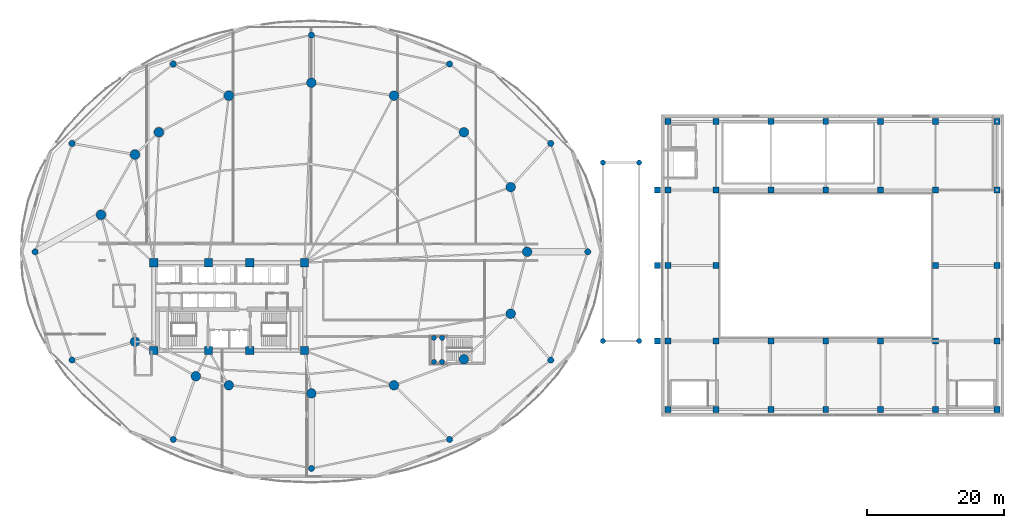
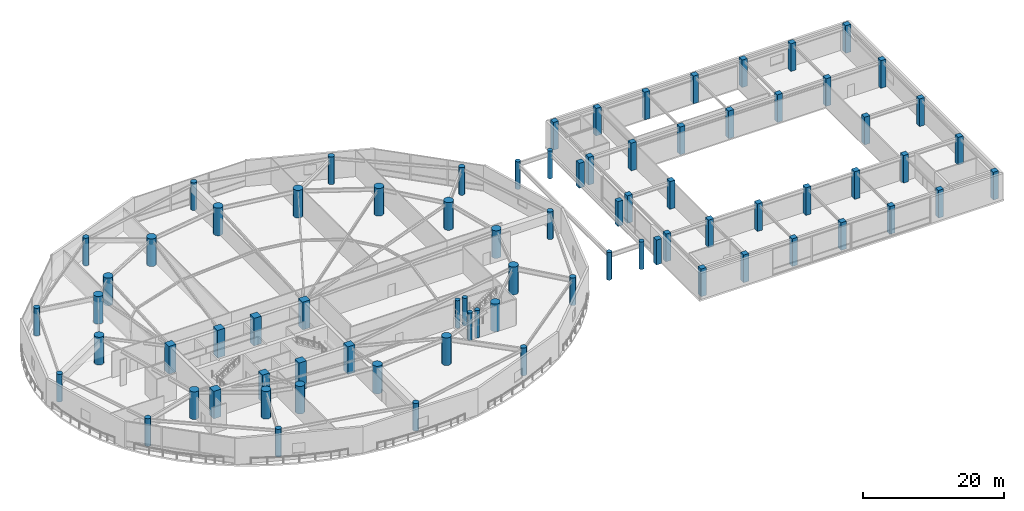
# One storey, part 1 of 36: 79 columns.
"""IFC4 building model written with IfcOpenShell, lengths in metres."""

from ifc_helpers import new_model, si_unit, direction, frame, origin, origin_2d, place, context, subcontext, project, spatial, rectangle, circle, extrude, material, material_profile, profile_set, type_object, element, save


model = new_model("IFC4")

# Units and contexts
model_context = context("Model", 3, precision=1e-05, world=origin(), true_north=direction((0.0, 1.0)))
body_context = subcontext(model_context, "Body", "Model", "MODEL_VIEW")
ifc_project = project(units=[si_unit("LENGTHUNIT", "METRE"), si_unit("AREAUNIT", "SQUARE_METRE"), si_unit("VOLUMEUNIT", "CUBIC_METRE"), si_unit("PLANEANGLEUNIT", "RADIAN"), si_unit("MASSUNIT", "GRAM", prefix="KILO")], contexts=[model_context])

# Site, building, storey
site_placement = place(None, origin())
site = spatial("IfcSite", under=ifc_project, at=site_placement, CompositionType="ELEMENT")
building_placement = place(site_placement, origin())
building = spatial("IfcBuilding", under=site, at=building_placement, Name="Kazevale Care Tower and Concert Hall", CompositionType="ELEMENT")
storey_placement = place(building_placement, frame((0.0, 0.0, 14.39990234375)))
storey = spatial("IfcBuildingStorey", under=building, at=storey_placement, Name="L03", CompositionType="ELEMENT", Elevation=14.39990234375)

# Columns
ifc_material_1 = material(Name="Concrete C50", Category="concrete")
ifc_material_profile_1 = material_profile(ifc_material_1, rectangle(XDim=0.85009765625, YDim=0.85009765625, at=origin_2d()), Name="RC-SQ850")
ifc_profile_set_1 = profile_set([ifc_material_profile_1], Name="Concrete C50")
column_type_1 = type_object("IfcColumnType", Name="Concert Hall Column SQ850 C50", PredefinedType="COLUMN", material=ifc_profile_set_1)
for number, where, z_axis, x_axis, name in (
    (1, (97.0, 15.0, 0.0), (0.0, 0.0, 1.0), (1.0, 0.0, 0.0), "col:L03:HC-01"),
    (2, (97.0, 25.0, 0.0), (0.0, 0.0, 1.0), (1.0, 0.0, 0.0), "col:L03:HC-02"),
    (3, (97.0, 36.0, 0.0), (0.0, 0.0, 1.0), (1.0, 0.0, 0.0), "col:L03:HC-03"),
    (4, (97.0, 47.0, 0.0), (0.0, 0.0, 1.0), (1.0, 0.0, 0.0), "col:L03:HC-04"),
    (5, (97.0, 57.0, 0.0), (0.0, 0.0, 1.0), (1.0, 0.0, 0.0), "col:L03:HC-05"),
    (6, (104.0, 15.0, 0.0), (0.0, 0.0, 1.0), (1.0, 0.0, 0.0), "col:L03:HC-06"),
    (7, (104.0, 25.0, 0.0), (0.0, 0.0, 1.0), (1.0, 0.0, 0.0), "col:L03:HC-07"),
    (8, (104.0, 36.0, 0.0), (0.0, 0.0, 1.0), (1.0, 0.0, 0.0), "col:L03:HC-08"),
    (9, (104.0, 47.0, 0.0), (0.0, 0.0, 1.0), (1.0, 0.0, 0.0), "col:L03:HC-09"),
    (10, (104.0, 57.0, 0.0), (0.0, 0.0, 1.0), (1.0, 0.0, 0.0), "col:L03:HC-10"),
    (11, (112.0, 15.0, 0.0), (0.0, 0.0, 1.0), (1.0, 0.0, 0.0), "col:L03:HC-11"),
    (12, (112.0, 25.0, 0.0), (0.0, 0.0, 1.0), (1.0, 0.0, 0.0), "col:L03:HC-12"),
    (13, (112.0, 47.0, 0.0), (0.0, 0.0, 1.0), (1.0, 0.0, 0.0), "col:L03:HC-13"),
    (14, (112.0, 57.0, 0.0), (0.0, 0.0, 1.0), (1.0, 0.0, 0.0), "col:L03:HC-14"),
    (15, (120.0, 15.0, 0.0), (0.0, 0.0, 1.0), (1.0, 0.0, 0.0), "col:L03:HC-15"),
    (16, (120.0, 25.0, 0.0), (0.0, 0.0, 1.0), (1.0, 0.0, 0.0), "col:L03:HC-16"),
    (17, (120.0, 47.0, 0.0), (0.0, 0.0, 1.0), (1.0, 0.0, 0.0), "col:L03:HC-17"),
    (18, (120.0, 57.0, 0.0), (0.0, 0.0, 1.0), (1.0, 0.0, 0.0), "col:L03:HC-18"),
    (19, (128.0, 15.0, 0.0), (0.0, 0.0, 1.0), (1.0, 0.0, 0.0), "col:L03:HC-19"),
    (20, (128.0, 25.0, 0.0), (0.0, 0.0, 1.0), (1.0, 0.0, 0.0), "col:L03:HC-20"),
    (21, (128.0, 47.0, 0.0), (0.0, 0.0, 1.0), (1.0, 0.0, 0.0), "col:L03:HC-21"),
    (22, (128.0, 57.0, 0.0), (0.0, 0.0, 1.0), (1.0, 0.0, 0.0), "col:L03:HC-22"),
    (23, (136.0, 15.0, 0.0), (0.0, 0.0, 1.0), (1.0, 0.0, 0.0), "col:L03:HC-23"),
    (24, (136.0, 25.0, 0.0), (0.0, 0.0, 1.0), (1.0, 0.0, 0.0), "col:L03:HC-24"),
    (25, (136.0, 36.0, 0.0), (0.0, 0.0, 1.0), (1.0, 0.0, 0.0), "col:L03:HC-25"),
    (26, (136.0, 47.0, 0.0), (0.0, 0.0, 1.0), (1.0, 0.0, 0.0), "col:L03:HC-26"),
    (27, (136.0, 57.0, 0.0), (0.0, 0.0, 1.0), (1.0, 0.0, 0.0), "col:L03:HC-27"),
    (28, (145.0, 15.0, 0.0), (0.0, 0.0, 1.0), (1.0, 0.0, 0.0), "col:L03:HC-28"),
    (29, (145.0, 25.0, 0.0), (0.0, 0.0, 1.0), (1.0, 0.0, 0.0), "col:L03:HC-29"),
    (30, (145.0, 36.0, 0.0), (0.0, 0.0, 1.0), (1.0, 0.0, 0.0), "col:L03:HC-30"),
    (31, (145.0, 47.0, 0.0), (0.0, 0.0, 1.0), (1.0, 0.0, 0.0), "col:L03:HC-31"),
    (32, (145.0, 57.0, 0.0), (0.0, 0.0, 1.0), (1.0, 0.0, 0.0), "col:L03:HC-32"),
):
    element("IfcColumn", number, at=place(storey_placement, frame(where, z_axis=z_axis, x_axis=x_axis)), inside=storey, type_object=column_type_1, Name=name, PredefinedType="COLUMN", context=body_context, shape_type="SweptSolid", body=[
        extrude(rectangle(XDim=0.85009765625, YDim=0.85009765625, at=origin_2d()), origin(), (0.0, 0.0, 1.0), 4.800048828125),
    ])
for number, where, z_axis, x_axis, name in (
    (33, (95.449951171875, 25.0, 0.0), (0.0, 0.0, 1.0), (1.0, 0.0, 0.0), "col:L03:bseat:1"),
    (34, (95.449951171875, 36.0, 0.0), (0.0, 0.0, 1.0), (1.0, 0.0, 0.0), "col:L03:bseat:2"),
    (35, (95.449951171875, 47.0, 0.0), (0.0, 0.0, 1.0), (1.0, 0.0, 0.0), "col:L03:bseat:3"),
):
    element("IfcColumn", number, at=place(storey_placement, frame(where, z_axis=z_axis, x_axis=x_axis)), inside=storey, type_object=column_type_1, Name=name, PredefinedType="COLUMN", context=body_context, shape_type="SweptSolid", body=[
        extrude(rectangle(XDim=0.85009765625, YDim=0.85009765625, at=origin_2d()), origin(), (0.0, 0.0, 1.0), 4.31005859375),
    ])
ifc_material_2 = material(Name="Concrete C70", Category="concrete")
ifc_material_profile_2 = material_profile(ifc_material_2, rectangle(XDim=1.199951171875, YDim=1.199951171875, at=origin_2d()), Name="RC-SQ1200")
ifc_profile_set_2 = profile_set([ifc_material_profile_2], Name="Concrete C70")
column_type_2 = type_object("IfcColumnType", Name="Core Column SQ1200 C70", PredefinedType="COLUMN", material=ifc_profile_set_2)
for number, where, z_axis, x_axis, name in (
    (36, (22.0, 23.60009765625, 0.0), (0.0, 0.0, 1.0), (1.0, 0.0, 0.0), "col:L03:CC-01"),
    (37, (30.0, 23.60009765625, 0.0), (0.0, 0.0, 1.0), (1.0, 0.0, 0.0), "col:L03:CC-02"),
    (38, (36.0, 23.60009765625, 0.0), (0.0, 0.0, 1.0), (1.0, 0.0, 0.0), "col:L03:CC-03"),
    (39, (44.0, 23.60009765625, 0.0), (0.0, 0.0, 1.0), (1.0, 0.0, 0.0), "col:L03:CC-04"),
    (40, (44.0, 36.39990234375, 0.0), (0.0, 0.0, 1.0), (1.0, 0.0, 0.0), "col:L03:CC-05"),
    (41, (36.0, 36.39990234375, 0.0), (0.0, 0.0, 1.0), (1.0, 0.0, 0.0), "col:L03:CC-06"),
    (42, (30.0, 36.39990234375, 0.0), (0.0, 0.0, 1.0), (1.0, 0.0, 0.0), "col:L03:CC-07"),
    (43, (22.0, 36.39990234375, 0.0), (0.0, 0.0, 1.0), (1.0, 0.0, 0.0), "col:L03:CC-08"),
):
    element("IfcColumn", number, at=place(storey_placement, frame(where, z_axis=z_axis, x_axis=x_axis)), inside=storey, type_object=column_type_2, Name=name, PredefinedType="COLUMN", context=body_context, shape_type="SweptSolid", body=[
        extrude(rectangle(XDim=1.199951171875, YDim=1.199951171875, at=origin_2d()), origin(), (0.0, 0.0, 1.0), 4.800048828125),
    ])
ifc_material_profile_3 = material_profile(ifc_material_1, circle(Radius=0.375, at=origin_2d()), Name="RC-CIR750")
ifc_profile_set_3 = profile_set([ifc_material_profile_3], Name="Concrete C50")
column_type_3 = type_object("IfcColumnType", Name="Garden & Support Column CIR750 C50", PredefinedType="COLUMN", material=ifc_profile_set_3)
for number, where, z_axis, x_axis, name in (
    (44, (87.5, 25.0, 0.0), (0.0, 0.0, 1.0), (1.0, 0.0, 0.0), "col:L03:GC-01"),
    (45, (92.800048828125, 25.0, 0.0), (0.0, 0.0, 1.0), (1.0, 0.0, 0.0), "col:L03:GC-02"),
    (46, (92.800048828125, 51.0, 0.0), (0.0, 0.0, 1.0), (1.0, 0.0, 0.0), "col:L03:GC-03"),
    (47, (87.5, 51.0, 0.0), (0.0, 0.0, 1.0), (1.0, 0.0, 0.0), "col:L03:GC-04"),
    (48, (62.85009765625, 21.949951171875, 0.0), (0.0, 0.0, 1.0), (1.0, 0.0, 0.0), "col:L03:st3post:628_21"),
    (49, (62.85009765625, 25.449951171875, 0.0), (0.0, 0.0, 1.0), (1.0, 0.0, 0.0), "col:L03:st3post:628_25"),
    (50, (64.050048828125, 21.949951171875, 0.0), (0.0, 0.0, 1.0), (1.0, 0.0, 0.0), "col:L03:st3post:640_21"),
    (51, (64.050048828125, 25.449951171875, 0.0), (0.0, 0.0, 1.0), (1.0, 0.0, 0.0), "col:L03:st3post:640_25"),
):
    element("IfcColumn", number, at=place(storey_placement, frame(where, z_axis=z_axis, x_axis=x_axis)), inside=storey, type_object=column_type_3, Name=name, PredefinedType="COLUMN", context=body_context, shape_type="SweptSolid", body=[
        extrude(circle(Radius=0.375, at=origin_2d()), origin(), (0.0, 0.0, 1.0), 4.800048828125),
    ])
ifc_material_profile_4 = material_profile(ifc_material_2, circle(Radius=0.699951171875, at=origin_2d()), Name="RC-CIR1400")
ifc_profile_set_4 = profile_set([ifc_material_profile_4], Name="Concrete C70")
column_type_4 = type_object("IfcColumnType", Name="Perimeter Column CIR1400 C70", PredefinedType="COLUMN", material=ifc_profile_set_4)
for number, where, z_axis, x_axis, name in (
    (52, (76.449951171875, 38.0, 0.0), (0.0, 0.0, 1.0), (1.0, 0.0, 0.0), "col:L03:PC-01"),
    (53, (74.06005859375, 47.429931640625, 0.0), (0.0, 0.0, 1.0), (1.0, 0.0, 0.0), "col:L03:PC-02"),
    (54, (67.239990234375, 55.429931640625, 0.0), (0.0, 0.0, 1.0), (1.0, 0.0, 0.0), "col:L03:PC-03"),
    (55, (57.0400390625, 60.77001953125, 0.0), (0.0, 0.0, 1.0), (1.0, 0.0, 0.0), "col:L03:PC-04"),
    (56, (45.0, 62.64990234375, 0.0), (0.0, 0.0, 1.0), (1.0, 0.0, 0.0), "col:L03:PC-05"),
    (57, (32.9599609375, 60.77001953125, 0.0), (0.0, 0.0, 1.0), (1.0, 0.0, 0.0), "col:L03:PC-06"),
    (58, (22.760009765625, 55.429931640625, 0.0), (0.0, 0.0, 1.0), (1.0, 0.0, 0.0), "col:L03:PC-07"),
    (59, (19.27001953125, 52.179931640625, 0.0), (0.0, 0.0, 1.0), (1.0, 0.0, 0.0), "col:L03:PC-08"),
    (60, (14.31005859375, 43.3798828125, 0.0), (0.0, 0.0, 1.0), (1.0, 0.0, 0.0), "col:L03:PC-09"),
    (61, (19.27001953125, 24.8798828125, 0.0), (0.0, 0.0, 1.0), (1.0, 0.0, 0.0), "col:L03:PC-10"),
    (62, (28.14990234375, 19.85009765625, 0.0), (0.0, 0.0, 1.0), (1.0, 0.0, 0.0), "col:L03:PC-11"),
    (63, (32.9599609375, 18.530029296875, 0.0), (0.0, 0.0, 1.0), (1.0, 0.0, 0.0), "col:L03:PC-12"),
    (64, (45.0, 17.35009765625, 0.0), (0.0, 0.0, 1.0), (1.0, 0.0, 0.0), "col:L03:PC-13"),
    (65, (57.0400390625, 18.530029296875, 0.0), (0.0, 0.0, 1.0), (1.0, 0.0, 0.0), "col:L03:PC-14"),
    (66, (67.239990234375, 22.31005859375, 0.0), (0.0, 0.0, 1.0), (1.0, 0.0, 0.0), "col:L03:PC-15"),
    (67, (74.06005859375, 28.969970703125, 0.0), (0.0, 0.0, 1.0), (1.0, 0.0, 0.0), "col:L03:PC-16"),
):
    element("IfcColumn", number, at=place(storey_placement, frame(where, z_axis=z_axis, x_axis=x_axis)), inside=storey, type_object=column_type_4, Name=name, PredefinedType="COLUMN", context=body_context, shape_type="SweptSolid", body=[
        extrude(circle(Radius=0.699951171875, at=origin_2d()), origin(), (0.0, 0.0, 1.0), 4.800048828125),
    ])
ifc_material_3 = material(Name="Concrete C60", Category="concrete")
ifc_material_profile_5 = material_profile(ifc_material_3, circle(Radius=0.449951171875, at=origin_2d()), Name="RC-CIR900")
ifc_profile_set_5 = profile_set([ifc_material_profile_5], Name="Concrete C60")
column_type_5 = type_object("IfcColumnType", Name="Podium Column CIR900 C60", PredefinedType="COLUMN", material=ifc_profile_set_5)
for number, where, z_axis, x_axis, name in (
    (68, (85.300048828125, 38.0, 0.0), (0.0, 0.0, 1.0), (1.0, 0.0, 0.0), "col:L03:PDC-01"),
    (69, (79.89990234375, 53.800048828125, 0.0), (0.0, 0.0, 1.0), (1.0, 0.0, 0.0), "col:L03:PDC-02"),
    (70, (65.14990234375, 65.3701171875, 0.0), (0.0, 0.0, 1.0), (1.0, 0.0, 0.0), "col:L03:PDC-03"),
    (71, (45.0, 69.60009765625, 0.0), (0.0, 0.0, 1.0), (1.0, 0.0, 0.0), "col:L03:PDC-04"),
    (72, (24.85009765625, 65.3701171875, 0.0), (0.0, 0.0, 1.0), (1.0, 0.0, 0.0), "col:L03:PDC-05"),
    (73, (10.10009765625, 53.800048828125, 0.0), (0.0, 0.0, 1.0), (1.0, 0.0, 0.0), "col:L03:PDC-06"),
    (74, (4.699951171875, 38.0, 0.0), (0.0, 0.0, 1.0), (1.0, 0.0, 0.0), "col:L03:PDC-07"),
    (75, (10.10009765625, 22.199951171875, 0.0), (0.0, 0.0, 1.0), (1.0, 0.0, 0.0), "col:L03:PDC-08"),
    (76, (24.85009765625, 10.6298828125, 0.0), (0.0, 0.0, 1.0), (1.0, 0.0, 0.0), "col:L03:PDC-09"),
    (77, (45.0, 6.39990234375, 0.0), (0.0, 0.0, 1.0), (1.0, 0.0, 0.0), "col:L03:PDC-10"),
    (78, (65.14990234375, 10.6298828125, 0.0), (0.0, 0.0, 1.0), (1.0, 0.0, 0.0), "col:L03:PDC-11"),
    (79, (79.89990234375, 22.199951171875, 0.0), (0.0, 0.0, 1.0), (1.0, 0.0, 0.0), "col:L03:PDC-12"),
):
    element("IfcColumn", number, at=place(storey_placement, frame(where, z_axis=z_axis, x_axis=x_axis)), inside=storey, type_object=column_type_5, Name=name, PredefinedType="COLUMN", context=body_context, shape_type="SweptSolid", body=[
        extrude(circle(Radius=0.449951171875, at=origin_2d()), origin(), (0.0, 0.0, 1.0), 4.800048828125),
    ])

save(model, "model.ifc")
